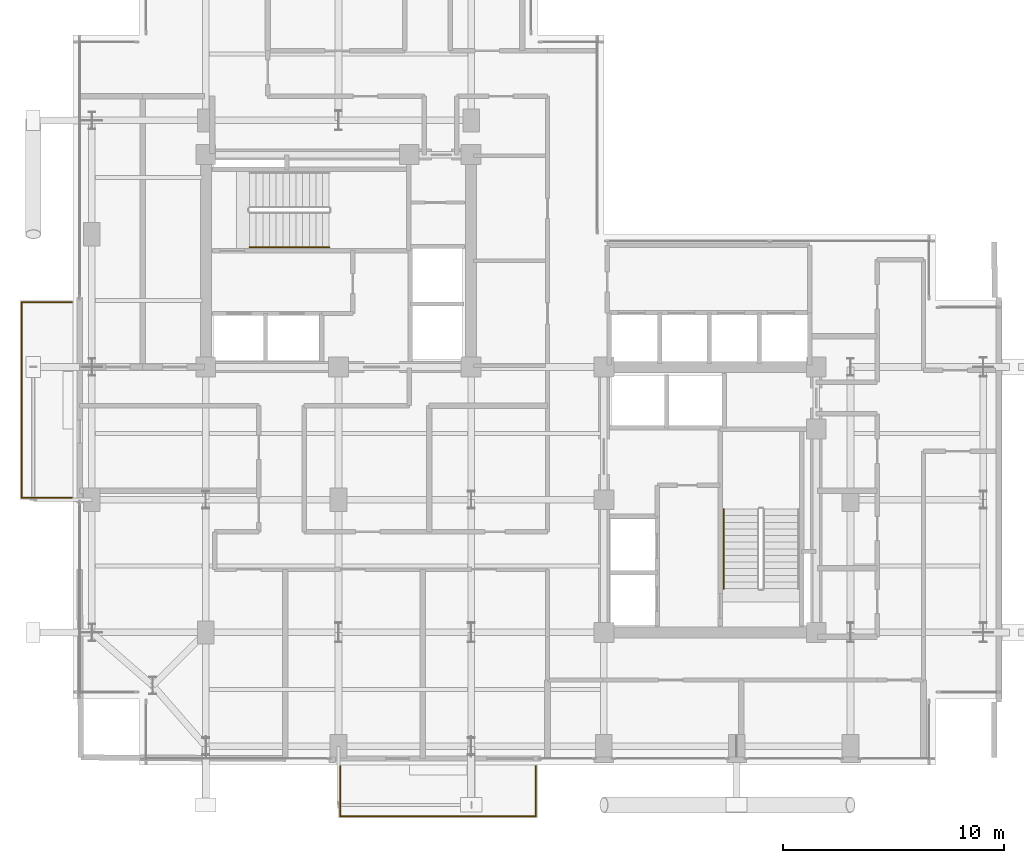
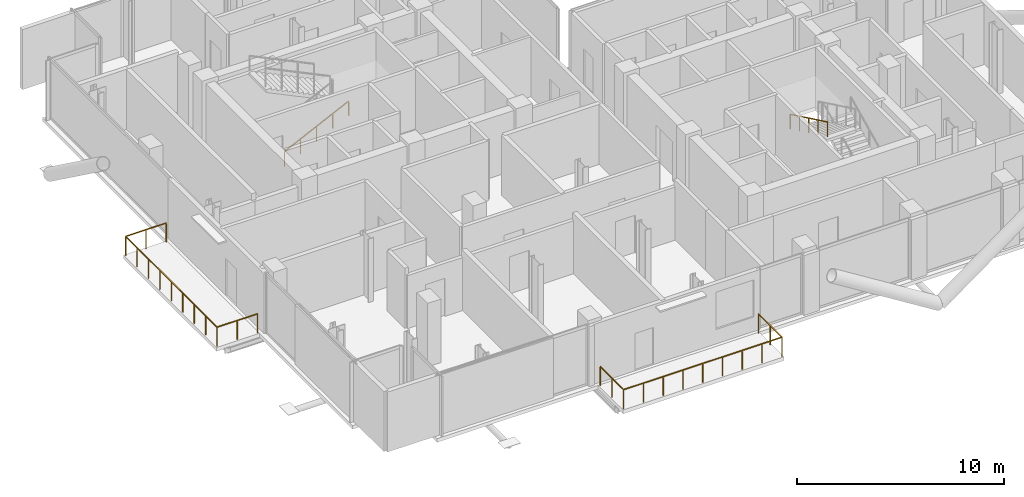
# One storey, part 20 of 21: 4 railings.
"""IFC4 building model written with IfcOpenShell, lengths in metres."""

from ifc_helpers import new_model, si_unit, direction, frame, origin, origin_2d, place, context, subcontext, project, spatial, rectangle, extrude, material, type_object, element, save


model = new_model("IFC4")

# Units and contexts
model_context = context("Model", 3, precision=1e-05, world=origin(), true_north=direction((0.0, 1.0)))
body_context = subcontext(model_context, "Body", "Model", "MODEL_VIEW")
ifc_project = project(units=[si_unit("LENGTHUNIT", "METRE"), si_unit("AREAUNIT", "SQUARE_METRE"), si_unit("VOLUMEUNIT", "CUBIC_METRE"), si_unit("PLANEANGLEUNIT", "RADIAN"), si_unit("MASSUNIT", "GRAM", prefix="KILO"), si_unit("THERMODYNAMICTEMPERATUREUNIT", "KELVIN"), si_unit("POWERUNIT", "WATT")], contexts=[model_context])

# Site, building, storey
site_placement = place(None, origin())
site = spatial("IfcSite", under=ifc_project, at=site_placement, CompositionType="ELEMENT")
building_placement = place(site_placement, origin())
building = spatial("IfcBuilding", under=site, at=building_placement, Name="Svarakhadi Broadcast Tower", CompositionType="ELEMENT")
storey_placement = place(building_placement, frame((0.0, 0.0, 187.949951171875)))
storey = spatial("IfcBuildingStorey", under=building, at=storey_placement, Name="L46", CompositionType="ELEMENT", Elevation=187.949951171875)

# Railings
ifc_material_1 = material(Name="Laminated Structural SentryGlas Balustrade 25.5 mm", Category="glass")
railing_type_1 = type_object("IfcRailingType", Name="Guard_Balcony_GR01", PredefinedType="BALUSTRADE", material=ifc_material_1)
railing_1_placement = place(storey_placement, frame((12.080078125, -0.06005859375, 0.0)))
element("IfcRailing", 1, at=railing_1_placement, inside=storey, type_object=railing_type_1, Name="L46 South Tree Balcony Guard GR-05", PredefinedType="BALUSTRADE", context=body_context, shape_type="SweptSolid", body=[
    extrude(rectangle(XDim=0.048095703125, YDim=0.048095703125, at=origin_2d()), frame((0.0, 0.0, 1.1259765625), z_axis=(0.0, -1.0, 0.0), x_axis=(1.0, 0.0, 0.0)), (0.0, 0.0, 1.0), 2.260009765625),
    extrude(rectangle(XDim=0.048095703125, YDim=0.048095703125, at=origin_2d()), frame((0.0, -2.260009765625, 1.1259765625), z_axis=(1.0, 0.0, 0.0), x_axis=(0.0, 1.0, 0.0)), (0.0, 0.0, 1.0), 8.83984375),
    extrude(rectangle(XDim=0.048095703125, YDim=0.048095703125, at=origin_2d()), frame((8.83984375, -2.260009765625, 1.1259765625), z_axis=(0.0, 1.0, 0.0), x_axis=(-1.0, 0.0, 0.0)), (0.0, 0.0, 1.0), 2.260009765625),
    extrude(rectangle(XDim=0.0419921875, YDim=0.0419921875, at=origin_2d()), origin(), (0.0, 0.0, 1.0), 1.101806640625),
    extrude(rectangle(XDim=0.0419921875, YDim=0.0419921875, at=origin_2d()), frame((0.0, -1.1298828125, 0.0)), (0.0, 0.0, 1.0), 1.101806640625),
    extrude(rectangle(XDim=0.0419921875, YDim=0.0419921875, at=origin_2d()), frame((0.0, -2.260009765625, 0.0)), (0.0, 0.0, 1.0), 1.101806640625),
    extrude(rectangle(XDim=0.0419921875, YDim=0.0419921875, at=origin_2d()), frame((1.10498046875, -2.260009765625, 0.0)), (0.0, 0.0, 1.0), 1.101806640625),
    extrude(rectangle(XDim=0.0419921875, YDim=0.0419921875, at=origin_2d()), frame((2.2099609375, -2.260009765625, 0.0)), (0.0, 0.0, 1.0), 1.101806640625),
    extrude(rectangle(XDim=0.0419921875, YDim=0.0419921875, at=origin_2d()), frame((3.31494140625, -2.260009765625, 0.0)), (0.0, 0.0, 1.0), 1.101806640625),
    extrude(rectangle(XDim=0.0419921875, YDim=0.0419921875, at=origin_2d()), frame((4.419921875, -2.260009765625, 0.0)), (0.0, 0.0, 1.0), 1.101806640625),
    extrude(rectangle(XDim=0.0419921875, YDim=0.0419921875, at=origin_2d()), frame((5.52490234375, -2.260009765625, 0.0)), (0.0, 0.0, 1.0), 1.101806640625),
    extrude(rectangle(XDim=0.0419921875, YDim=0.0419921875, at=origin_2d()), frame((6.6298828125, -2.260009765625, 0.0)), (0.0, 0.0, 1.0), 1.101806640625),
    extrude(rectangle(XDim=0.0419921875, YDim=0.0419921875, at=origin_2d()), frame((7.73486328125, -2.260009765625, 0.0)), (0.0, 0.0, 1.0), 1.101806640625),
    extrude(rectangle(XDim=0.0419921875, YDim=0.0419921875, at=origin_2d()), frame((8.83984375, -2.260009765625, 0.0)), (0.0, 0.0, 1.0), 1.101806640625),
    extrude(rectangle(XDim=0.0419921875, YDim=0.0419921875, at=origin_2d()), frame((8.83984375, -1.1298828125, 0.0)), (0.0, 0.0, 1.0), 1.101806640625),
    extrude(rectangle(XDim=0.0419921875, YDim=0.0419921875, at=origin_2d()), frame((8.83984375, 0.0, 0.0)), (0.0, 0.0, 1.0), 1.101806640625),
])
railing_2_placement = place(storey_placement, frame((-0.06005859375, 12.080078125, 0.0)))
element("IfcRailing", 2, at=railing_2_placement, inside=storey, type_object=railing_type_1, Name="L46 West Tree Balcony Guard GR-05", PredefinedType="BALUSTRADE", context=body_context, shape_type="SweptSolid", body=[
    extrude(rectangle(XDim=0.048095703125, YDim=0.048095703125, at=origin_2d()), frame((0.0, 0.0, 1.1259765625), z_axis=(-1.0, 0.0, 0.0), x_axis=(0.0, -1.0, 0.0)), (0.0, 0.0, 1.0), 2.260009765625),
    extrude(rectangle(XDim=0.048095703125, YDim=0.048095703125, at=origin_2d()), frame((-2.260009765625, 0.0, 1.1259765625), z_axis=(0.0, 1.0, 0.0), x_axis=(-1.0, 0.0, 0.0)), (0.0, 0.0, 1.0), 8.83984375),
    extrude(rectangle(XDim=0.048095703125, YDim=0.048095703125, at=origin_2d()), frame((-2.260009765625, 8.83984375, 1.1259765625), z_axis=(1.0, 0.0, 0.0), x_axis=(0.0, 1.0, 0.0)), (0.0, 0.0, 1.0), 2.260009765625),
    extrude(rectangle(XDim=0.0419921875, YDim=0.0419921875, at=origin_2d()), origin(), (0.0, 0.0, 1.0), 1.101806640625),
    extrude(rectangle(XDim=0.0419921875, YDim=0.0419921875, at=origin_2d()), frame((-1.1298828125, 0.0, 0.0)), (0.0, 0.0, 1.0), 1.101806640625),
    extrude(rectangle(XDim=0.0419921875, YDim=0.0419921875, at=origin_2d()), frame((-2.260009765625, 0.0, 0.0)), (0.0, 0.0, 1.0), 1.101806640625),
    extrude(rectangle(XDim=0.0419921875, YDim=0.0419921875, at=origin_2d()), frame((-2.260009765625, 1.10498046875, 0.0)), (0.0, 0.0, 1.0), 1.101806640625),
    extrude(rectangle(XDim=0.0419921875, YDim=0.0419921875, at=origin_2d()), frame((-2.260009765625, 2.2099609375, 0.0)), (0.0, 0.0, 1.0), 1.101806640625),
    extrude(rectangle(XDim=0.0419921875, YDim=0.0419921875, at=origin_2d()), frame((-2.260009765625, 3.31494140625, 0.0)), (0.0, 0.0, 1.0), 1.101806640625),
    extrude(rectangle(XDim=0.0419921875, YDim=0.0419921875, at=origin_2d()), frame((-2.260009765625, 4.419921875, 0.0)), (0.0, 0.0, 1.0), 1.101806640625),
    extrude(rectangle(XDim=0.0419921875, YDim=0.0419921875, at=origin_2d()), frame((-2.260009765625, 5.52490234375, 0.0)), (0.0, 0.0, 1.0), 1.101806640625),
    extrude(rectangle(XDim=0.0419921875, YDim=0.0419921875, at=origin_2d()), frame((-2.260009765625, 6.6298828125, 0.0)), (0.0, 0.0, 1.0), 1.101806640625),
    extrude(rectangle(XDim=0.0419921875, YDim=0.0419921875, at=origin_2d()), frame((-2.260009765625, 7.73486328125, 0.0)), (0.0, 0.0, 1.0), 1.101806640625),
    extrude(rectangle(XDim=0.0419921875, YDim=0.0419921875, at=origin_2d()), frame((-2.260009765625, 8.83984375, 0.0)), (0.0, 0.0, 1.0), 1.101806640625),
    extrude(rectangle(XDim=0.0419921875, YDim=0.0419921875, at=origin_2d()), frame((-1.1298828125, 8.83984375, 0.0)), (0.0, 0.0, 1.0), 1.101806640625),
    extrude(rectangle(XDim=0.0419921875, YDim=0.0419921875, at=origin_2d()), frame((0.0, 8.83984375, 0.0)), (0.0, 0.0, 1.0), 1.101806640625),
])
ifc_material_2 = material(Name="Anodised Bronze Aluminium AA 6063-T6", Category="aluminium")
railing_type_2 = type_object("IfcRailingType", Name="Handrail_Stair_HR01", PredefinedType="HANDRAIL", material=ifc_material_2)
railing_3_placement = place(storey_placement, frame((7.97998046875, 23.409912109375, 0.144287109375)))
element("IfcRailing", 3, at=railing_3_placement, inside=storey, type_object=railing_type_2, Name="L46 ST-01 stair handrail 1", PredefinedType="HANDRAIL", context=body_context, shape_type="SweptSolid", body=[
    extrude(rectangle(XDim=0.048095703125, YDim=0.048095703125, at=origin_2d()), frame((0.0, 0.0, 0.8759765625), z_axis=(0.901262522062, 0.0, 0.433273431364), x_axis=(0.0, 1.0, 0.0)), (0.0, 0.0, 1.0), 3.994384765625),
    extrude(rectangle(XDim=0.0419921875, YDim=0.0419921875, at=origin_2d()), origin(), (0.0, 0.0, 1.0), 0.851806640625),
    extrude(rectangle(XDim=0.0419921875, YDim=0.0419921875, at=origin_2d()), frame((0.89990234375, 0.0, 0.4326171875)), (0.0, 0.0, 1.0), 0.851806640625),
    extrude(rectangle(XDim=0.0419921875, YDim=0.0419921875, at=origin_2d()), frame((1.800048828125, 0.0, 0.865234375)), (0.0, 0.0, 1.0), 0.851806640625),
    extrude(rectangle(XDim=0.0419921875, YDim=0.0419921875, at=origin_2d()), frame((2.7001953125, 0.0, 1.298095703125)), (0.0, 0.0, 1.0), 0.851806640625),
    extrude(rectangle(XDim=0.0419921875, YDim=0.0419921875, at=origin_2d()), frame((3.60009765625, 0.0, 1.730712890625)), (0.0, 0.0, 1.0), 0.851806640625),
])
railing_4_placement = place(storey_placement, frame((29.409912109375, 11.580078125, 2.019287109375)))
element("IfcRailing", 4, at=railing_4_placement, inside=storey, type_object=railing_type_2, Name="L46 ST-02 stair handrail 2", PredefinedType="HANDRAIL", context=body_context, shape_type="SweptSolid", body=[
    extrude(rectangle(XDim=0.048095703125, YDim=0.048095703125, at=origin_2d()), frame((0.0, 0.0, 0.8759765625), z_axis=(0.0, -0.901262522062, 0.433273431364), x_axis=(1.0, 0.0, 0.0)), (0.0, 0.0, 1.0), 3.994384765625),
    extrude(rectangle(XDim=0.0419921875, YDim=0.0419921875, at=origin_2d()), origin(), (0.0, 0.0, 1.0), 0.851806640625),
    extrude(rectangle(XDim=0.0419921875, YDim=0.0419921875, at=origin_2d()), frame((0.0, -0.89990234375, 0.4326171875)), (0.0, 0.0, 1.0), 0.851806640625),
    extrude(rectangle(XDim=0.0419921875, YDim=0.0419921875, at=origin_2d()), frame((0.0, -1.800048828125, 0.865234375)), (0.0, 0.0, 1.0), 0.851806640625),
    extrude(rectangle(XDim=0.0419921875, YDim=0.0419921875, at=origin_2d()), frame((0.0, -2.7001953125, 1.298095703125)), (0.0, 0.0, 1.0), 0.851806640625),
    extrude(rectangle(XDim=0.0419921875, YDim=0.0419921875, at=origin_2d()), frame((0.0, -3.60009765625, 1.730712890625)), (0.0, 0.0, 1.0), 0.851806640625),
])

save(model, "model.ifc")
